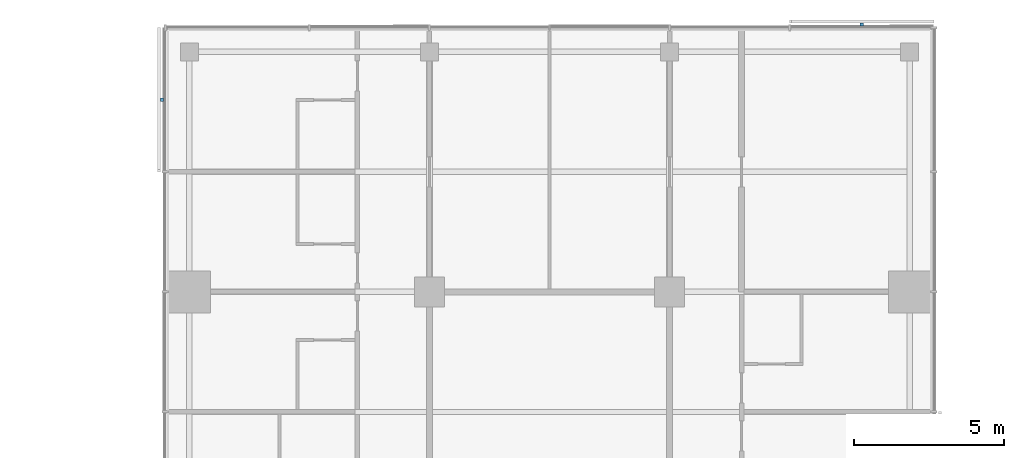
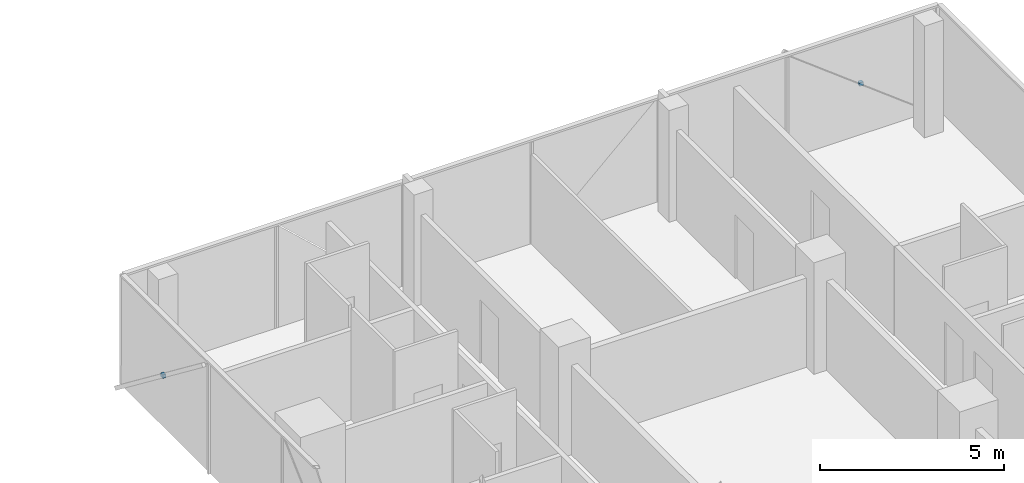
# One storey, part 26 of 27: 2 discrete accessories.
"""IFC4 building model written with IfcOpenShell, lengths in metres."""

import ifcopenshell
import ifcopenshell.guid

model = None  # the IFC model being written
_history = None  # IfcOwnerHistory: only IFC2X3 demands one
_inside = {}  # id of a spatial element -> (the spatial element, [elements in it])
_under = {}  # id of a project, library or spatial element -> (it, [spatial elements below it])
_declared = {}  # id of a project -> (the project, [libraries it declares])
_typed = {}  # id of a type object -> (the type object, [elements of that type])
_made_of = {}  # id of a material, layer set ... -> (it, [elements and type objects made of it])


def new_model(schema):
    """Start an empty IFC model of exactly this schema.

    Asked for "IFC4X3", IfcOpenShell would pick the latest addendum, in which some entities
    have other attributes; the version numbers below select the first issue.
    IFC2X3 requires an IfcOwnerHistory on every rooted entity: one is made here for all.
    """
    global model, _history
    if schema == "IFC4X3":
        model = ifcopenshell.file(schema_version=(4, 3, 0, 0))
    else:
        model = ifcopenshell.file(schema=schema)
    _inside.clear()
    _under.clear()
    _declared.clear()
    _typed.clear()
    _made_of.clear()
    _history = None
    if model.schema == "IFC2X3":
        org = make("IfcOrganization", Name="unknown")
        user = make(
            "IfcPersonAndOrganization",
            ThePerson=make("IfcPerson", FamilyName="unknown"),
            TheOrganization=org,
        )
        app = make(
            "IfcApplication",
            ApplicationDeveloper=org,
            Version="unknown",
            ApplicationFullName="unknown",
            ApplicationIdentifier="unknown",
        )
        _history = make(
            "IfcOwnerHistory",
            OwningUser=user,
            OwningApplication=app,
            ChangeAction="ADDED",
            CreationDate=0,
        )
    return model


def make(cls, **values):
    """One entity of the class cls with the attributes given. An attribute that is None is left unset."""
    return model.create_entity(
        cls, **{name: value for name, value in values.items() if value is not None}
    )


def rooted(cls, **values):
    """An entity with a GlobalId (a new one), such as an element, a storey or a relation."""
    return make(cls, GlobalId=ifcopenshell.guid.new(), OwnerHistory=_history, **values)


def si_unit(unit_type, name, prefix=None):
    """IfcSIUnit, for example si_unit("LENGTHUNIT", "METRE", prefix="MILLI")."""
    return make("IfcSIUnit", UnitType=unit_type, Prefix=prefix, Name=name)


def assignment(units):
    """IfcUnitAssignment: the units of a project."""
    return None if units is None else make("IfcUnitAssignment", Units=units)


def point(xyz):
    """IfcCartesianPoint."""
    return None if xyz is None else make("IfcCartesianPoint", Coordinates=xyz)


def direction(xyz):
    """IfcDirection."""
    return None if xyz is None else make("IfcDirection", DirectionRatios=xyz)


def frame(location, z_axis=None, x_axis=None):
    """IfcAxis2Placement3D, a coordinate frame: its origin and axes. An axis left out is left unset."""
    return make(
        "IfcAxis2Placement3D",
        Location=point(location),
        Axis=direction(z_axis),
        RefDirection=direction(x_axis),
    )


def frame_2d(location, x_axis=None):
    """IfcAxis2Placement2D, a coordinate frame in the plane: its origin and x axis."""
    return make(
        "IfcAxis2Placement2D", Location=point(location), RefDirection=direction(x_axis)
    )


def origin():
    """The frame at (0, 0, 0) with its axes left unset."""
    return frame((0.0, 0.0, 0.0))


def origin_2d():
    """The frame at (0, 0) in the plane with its x axis left unset."""
    return frame_2d((0.0, 0.0))


def place(relative_to, where):
    """IfcLocalPlacement: puts the frame where relative to a parent placement (None: the world)."""
    return make(
        "IfcLocalPlacement", PlacementRelTo=relative_to, RelativePlacement=where
    )


def context(
    kind, dimensions, precision=None, world=None, true_north=None, identifier=None
):
    """IfcGeometricRepresentationContext, for example the 3D "Model" context."""
    return make(
        "IfcGeometricRepresentationContext",
        ContextIdentifier=identifier,
        ContextType=kind,
        CoordinateSpaceDimension=dimensions,
        Precision=precision,
        WorldCoordinateSystem=world,
        TrueNorth=true_north,
    )


def subcontext(parent, identifier, kind, view, scale=None):
    """IfcGeometricRepresentationSubContext, for example "Body" below "Model"."""
    return make(
        "IfcGeometricRepresentationSubContext",
        ContextIdentifier=identifier,
        ContextType=kind,
        ParentContext=parent,
        TargetScale=scale,
        TargetView=view,
    )


def project(units=None, contexts=None):
    """IfcProject with its units and contexts."""
    return rooted(
        "IfcProject",
        Name="project",
        RepresentationContexts=contexts,
        UnitsInContext=assignment(units),
    )


def spatial(cls, under=None, at=None, **own):
    """A site, building, storey or space (cls), placed at a placement, below another one or the project."""
    s = rooted(cls, ObjectPlacement=at, **own)
    if under is not None:
        _under.setdefault(under.id(), (under, []))[1].append(s)
    return s


def profile(cls, at=None, kind="AREA", **sizes):
    """A parametric profile (cls). Its sizes go by their IFC names, for example OverallWidth=200.0."""
    return make(cls, ProfileType=kind, Position=at, **sizes)


def rectangle(**sizes):
    """IfcRectangleProfileDef."""
    return profile("IfcRectangleProfileDef", **sizes)


def extrude(swept, where, along, depth):
    """IfcExtrudedAreaSolid: the profile swept, set in the frame where, extruded along a direction by depth."""
    return make(
        "IfcExtrudedAreaSolid",
        SweptArea=swept,
        Position=where,
        ExtrudedDirection=direction(along),
        Depth=depth,
    )


def shape(context_of_items, identifier, shape_type, items):
    """IfcShapeRepresentation: the items that make up one representation, for example the "Body"."""
    return make(
        "IfcShapeRepresentation",
        ContextOfItems=context_of_items,
        RepresentationIdentifier=identifier,
        RepresentationType=shape_type,
        Items=items,
    )


def material(Name=None, Category=None):
    """IfcMaterial."""
    return make("IfcMaterial", Name=Name, Category=Category)


def made_of(thing, what):
    """Note that an element or type object is made of a material, layer set ...; save() writes the relation."""
    if what is not None:
        _made_of.setdefault(what.id(), (what, []))[1].append(thing)
    return thing


def type_object(cls, material=None, **own):
    """A type object (cls), such as IfcWallType, which elements share."""
    return made_of(rooted(cls, **own), material)


def element(
    cls,
    number,
    at=None,
    inside=None,
    cuts=None,
    type_object=None,
    material=None,
    context=None,
    identifier="Body",
    shape_type=None,
    held_by="IfcProductDefinitionShape",
    body=None,
    shapes=None,
    **own,
):
    """One element of the class cls, such as IfcWall. Its Tag is "e" and its number.

    at: its placement. inside: the storey or other place that contains it. cuts: it is an
    opening in that element (IfcRelVoidsElement). A single representation is given by context,
    identifier, shape_type and body (its items); several are given by shapes. held_by: the class
    of the entity that holds the representations. save() writes the other relations.
    """
    e = rooted(cls, Tag="e%d" % number, ObjectPlacement=at, **own)
    if body is not None:
        shapes = [shape(context, identifier, shape_type, body)]
    if shapes is not None:
        e.Representation = make(held_by, Representations=shapes)
    if inside is not None:
        _inside.setdefault(inside.id(), (inside, []))[1].append(e)
    if cuts is not None:
        rooted(
            "IfcRelVoidsElement", RelatingBuildingElement=cuts, RelatedOpeningElement=e
        )
    if type_object is not None:
        _typed.setdefault(type_object.id(), (type_object, []))[1].append(e)
    return made_of(e, material)


def aggregate(whole, parts):
    """IfcRelAggregates: a whole, such as a stair, and the parts it consists of."""
    return rooted("IfcRelAggregates", RelatingObject=whole, RelatedObjects=parts)


def save(model, path):
    """Write the relations noted so far, then the file.

    IfcRelAggregates (storeys below a building ...), IfcRelContainedInSpatialStructure (elements
    in a storey), IfcRelDefinesByType, IfcRelAssociatesMaterial and IfcRelDeclares: one each for
    every whole, place, type object, material and project.
    """
    for whole, parts in _under.values():
        aggregate(whole, parts)
    for where, things in _inside.values():
        rooted(
            "IfcRelContainedInSpatialStructure",
            RelatedElements=things,
            RelatingStructure=where,
        )
    for kind, things in _typed.values():
        rooted("IfcRelDefinesByType", RelatedObjects=things, RelatingType=kind)
    for what, things in _made_of.values():
        rooted("IfcRelAssociatesMaterial", RelatedObjects=things, RelatingMaterial=what)
    for by, libraries in _declared.values():
        rooted("IfcRelDeclares", RelatingContext=by, RelatedDefinitions=libraries)
    model.write(path)


model = new_model("IFC4")

# Units and contexts
model_context = context("Model", 3, precision=1e-05, world=origin(), true_north=direction((0.0, 1.0)))
body_context = subcontext(model_context, "Body", "Model", "MODEL_VIEW")
ifc_project = project(units=[si_unit("LENGTHUNIT", "METRE"), si_unit("AREAUNIT", "SQUARE_METRE"), si_unit("VOLUMEUNIT", "CUBIC_METRE"), si_unit("PLANEANGLEUNIT", "RADIAN"), si_unit("MASSUNIT", "GRAM", prefix="KILO")], contexts=[model_context])

# Site, building, storey
site_placement = place(None, origin())
site = spatial("IfcSite", under=ifc_project, at=site_placement, CompositionType="ELEMENT")
building_placement = place(site_placement, origin())
building = spatial("IfcBuilding", under=site, at=building_placement, Name="Crosswind Convention Tower", CompositionType="ELEMENT")
storey_placement = place(building_placement, frame((0.0, 0.0, 72.0)))
storey = spatial("IfcBuildingStorey", under=building, at=storey_placement, Name="L12", CompositionType="ELEMENT", Elevation=72.0)

# Discrete accessories
ifc_material = material(Name="Stainless steel", Category="steel")
discrete_accessory_type = type_object("IfcDiscreteAccessoryType", Name="BAGUETTE BRACKET BK2", PredefinedType="BRACKET", material=ifc_material)
for number, where, z_axis, x_axis, name in (
    (1, (135.39990234375, 136.907958984375, 1.4775390625), (0.0, 0.0, 1.0), (-1.0, 0.0, 0.0), "BK2 baguette bracket"),
    (2, (112.092041015625, 134.39990234375, 1.4775390625), (0.0, 0.0, 1.0), (0.0, -1.0, 0.0), "BK2 baguette bracket"),
):
    element("IfcDiscreteAccessory", number, at=place(storey_placement, frame(where, z_axis=z_axis, x_axis=x_axis)), inside=storey, type_object=discrete_accessory_type, Name=name, PredefinedType="BRACKET", context=body_context, shape_type="SweptSolid", body=[
        extrude(rectangle(XDim=0.1201171875, YDim=0.10009765625, at=origin_2d()), origin(), (0.0, 0.0, 1.0), 0.1201171875),
    ])

save(model, "model.ifc")
